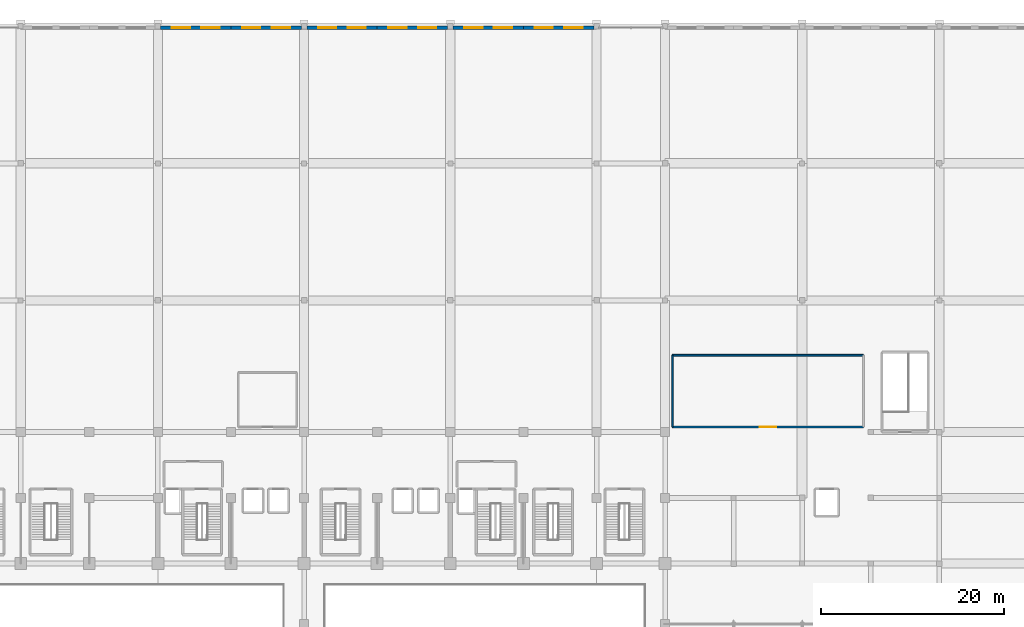
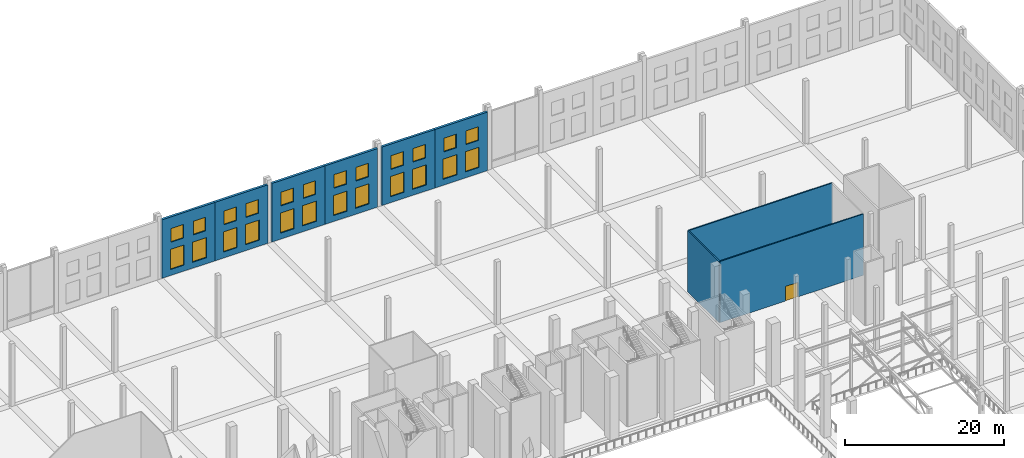
# One storey, part 69 of 80: 24 windows, 9 walls, 1 door, 25 openings.
"""IFC4 building model written with IfcOpenShell, lengths in metres."""

from ifc_helpers import new_model, si_unit, direction, frame, frame_2d, origin, place, context, subcontext, project, spatial, rectangle, extrude, material, layer, layer_set, type_object, element, fill, save


model = new_model("IFC4")

# Units and contexts
model_context = context("Model", 3, precision=1e-05, world=origin(), true_north=direction((0.0, 1.0)))
body_context = subcontext(model_context, "Body", "Model", "MODEL_VIEW")
ifc_project = project(units=[si_unit("LENGTHUNIT", "METRE"), si_unit("AREAUNIT", "SQUARE_METRE"), si_unit("VOLUMEUNIT", "CUBIC_METRE"), si_unit("PLANEANGLEUNIT", "RADIAN"), si_unit("MASSUNIT", "GRAM", prefix="KILO")], contexts=[model_context])

# Site, building, storey
site_placement = place(None, origin())
site = spatial("IfcSite", under=ifc_project, at=site_placement, CompositionType="ELEMENT")
building_placement = place(site_placement, origin())
building = spatial("IfcBuilding", under=site, at=building_placement, Name="Akrevak Sports Hall", CompositionType="ELEMENT")
storey_placement = place(building_placement, frame((0.0, 0.0, 14.0)))
storey = spatial("IfcBuildingStorey", under=building, at=storey_placement, Name="L03", CompositionType="ELEMENT", Elevation=14.0)

# Wall, openings, windows
ifc_material_1 = material(Name="Limestone Ashlar", Category="stone")
ifc_layer_1 = layer(ifc_material_1, 0.070068359375, Name="Limestone Ashlar")
ifc_material_2 = material(Name="Mineral Wool Thermal Insulation", Category="insulation")
ifc_layer_2 = layer(ifc_material_2, 0.10009765625, Name="Mineral Wool Thermal Insulation")
ifc_material_3 = material(Name="Concrete C40/50", Category="concrete")
ifc_layer_3 = layer(ifc_material_3, 0.169921875, Name="Concrete C40/50")
ifc_layer_set_1 = layer_set([ifc_layer_1, ifc_layer_2, ifc_layer_3], Name="Limestone Ashlar / Mineral Wool Thermal Insulation / Concrete C40/50")
wall_type_1 = type_object("IfcWallType", Name="ARC-WL-EXT-340", PredefinedType="SOLIDWALL", material=ifc_layer_set_1)
wall_1_placement = place(storey_placement, frame((68.0, 113.830078125, 0.0), z_axis=(0.0, 0.0, 1.0), x_axis=(-1.0, 0.0, 0.0)))
wall_1 = element("IfcWall", 1, at=wall_1_placement, inside=storey, type_object=wall_type_1, Name="Exterior Limestone Wall L03-N09", PredefinedType="SOLIDWALL", context=body_context, shape_type="SweptSolid", body=[
    extrude(rectangle(XDim=7.699951171875, YDim=0.340087890625, at=frame_2d((3.85009765625, 0.0))), origin(), (0.0, 0.0, 1.0), 9.0),
])
opening_1_placement = place(wall_1_placement, frame((4.467041015625, 0.0, 0.919921875)))
opening_1 = element("IfcOpeningElement", 2, at=opening_1_placement, cuts=wall_1, Name="Opening WN-41", PredefinedType="OPENING", context=body_context, shape_type="SweptSolid", body=[
    extrude(rectangle(XDim=2.0, YDim=3.10009765625, at=frame_2d((1.0, 1.550048828125))), frame((0.0, 0.18212890625, 0.0), z_axis=(0.0, -1.0, 0.0), x_axis=(1.0, 0.0, 0.0)), (0.0, 0.0, 1.0), 0.364013671875),
])
opening_2_placement = place(wall_1_placement, frame((4.56689453125, 0.0, 5.10009765625)))
opening_2 = element("IfcOpeningElement", 3, at=opening_2_placement, cuts=wall_1, Name="Opening WN-37", PredefinedType="OPENING", context=body_context, shape_type="SweptSolid", body=[
    extrude(rectangle(XDim=1.800048828125, YDim=2.10009765625, at=frame_2d((0.89990234375, 1.050048828125))), frame((0.0, 0.18212890625, 0.0), z_axis=(0.0, -1.0, 0.0), x_axis=(1.0, 0.0, 0.0)), (0.0, 0.0, 1.0), 0.364013671875),
])
opening_3_placement = place(wall_1_placement, frame((1.23291015625, 0.0, 0.919921875)))
opening_3 = element("IfcOpeningElement", 4, at=opening_3_placement, cuts=wall_1, Name="Opening WN-41", PredefinedType="OPENING", context=body_context, shape_type="SweptSolid", body=[
    extrude(rectangle(XDim=2.0, YDim=3.10009765625, at=frame_2d((1.0, 1.550048828125))), frame((0.0, 0.18212890625, 0.0), z_axis=(0.0, -1.0, 0.0), x_axis=(1.0, 0.0, 0.0)), (0.0, 0.0, 1.0), 0.364013671875),
])
opening_4_placement = place(wall_1_placement, frame((1.3330078125, 0.0, 5.10009765625)))
opening_4 = element("IfcOpeningElement", 5, at=opening_4_placement, cuts=wall_1, Name="Opening WN-37", PredefinedType="OPENING", context=body_context, shape_type="SweptSolid", body=[
    extrude(rectangle(XDim=1.800048828125, YDim=2.10009765625, at=frame_2d((0.89990234375, 1.050048828125))), frame((0.0, 0.18212890625, 0.0), z_axis=(0.0, -1.0, 0.0), x_axis=(1.0, 0.0, 0.0)), (0.0, 0.0, 1.0), 0.364013671875),
])
ifc_material_4 = material(Name="Thermally Broken Bronze Frame & Double Low-E Glass", Category="glass")
window_type_1 = type_object("IfcWindowType", Name="ARC-WIN-SZ-1800x2100", PartitioningType="SINGLE_PANEL", PredefinedType="WINDOW", material=ifc_material_4)
window_1_placement = place(opening_2_placement, origin())
window_1 = element("IfcWindow", 6, at=window_1_placement, inside=storey, type_object=window_type_1, Name="Beaux-Arts Attic Clerestory Window WIN-L03-N09-1U", OverallHeight=2.10009765625, OverallWidth=1.800048828125, PartitioningType="SINGLE_PANEL", PredefinedType="WINDOW", context=body_context, shape_type="SweptSolid", body=[
    extrude(rectangle(XDim=1.800048828125, YDim=2.10009765625, at=frame_2d((0.89990234375, 1.050048828125))), frame((0.0, 0.030029296875, 0.0), z_axis=(0.0, -1.0, 0.0), x_axis=(1.0, 0.0, 0.0)), (0.0, 0.0, 1.0), 0.06005859375),
])
fill(opening_2, window_1)
window_2_placement = place(opening_4_placement, origin())
window_2 = element("IfcWindow", 7, at=window_2_placement, inside=storey, type_object=window_type_1, Name="Beaux-Arts Attic Clerestory Window WIN-L03-N09-2U", OverallHeight=2.10009765625, OverallWidth=1.800048828125, PartitioningType="SINGLE_PANEL", PredefinedType="WINDOW", context=body_context, shape_type="SweptSolid", body=[
    extrude(rectangle(XDim=1.800048828125, YDim=2.10009765625, at=frame_2d((0.89990234375, 1.050048828125))), frame((0.0, 0.030029296875, 0.0), z_axis=(0.0, -1.0, 0.0), x_axis=(1.0, 0.0, 0.0)), (0.0, 0.0, 1.0), 0.06005859375),
])
fill(opening_4, window_2)
window_type_2 = type_object("IfcWindowType", Name="ARC-WIN-SZ-2000x3100", PartitioningType="SINGLE_PANEL", PredefinedType="WINDOW", material=ifc_material_4)
window_3_placement = place(opening_1_placement, origin())
window_3 = element("IfcWindow", 8, at=window_3_placement, inside=storey, type_object=window_type_2, Name="Beaux-Arts Facade Window WIN-L03-N09-1", OverallHeight=3.10009765625, OverallWidth=2.0, PartitioningType="SINGLE_PANEL", PredefinedType="WINDOW", context=body_context, shape_type="SweptSolid", body=[
    extrude(rectangle(XDim=2.0, YDim=3.10009765625, at=frame_2d((1.0, 1.550048828125))), frame((0.0, 0.030029296875, 0.0), z_axis=(0.0, -1.0, 0.0), x_axis=(1.0, 0.0, 0.0)), (0.0, 0.0, 1.0), 0.06005859375),
])
fill(opening_1, window_3)
window_4_placement = place(opening_3_placement, origin())
window_4 = element("IfcWindow", 9, at=window_4_placement, inside=storey, type_object=window_type_2, Name="Beaux-Arts Facade Window WIN-L03-N09-2", OverallHeight=3.10009765625, OverallWidth=2.0, PartitioningType="SINGLE_PANEL", PredefinedType="WINDOW", context=body_context, shape_type="SweptSolid", body=[
    extrude(rectangle(XDim=2.0, YDim=3.10009765625, at=frame_2d((1.0, 1.550048828125))), frame((0.0, 0.030029296875, 0.0), z_axis=(0.0, -1.0, 0.0), x_axis=(1.0, 0.0, 0.0)), (0.0, 0.0, 1.0), 0.06005859375),
])
fill(opening_3, window_4)

wall_2_placement = place(storey_placement, frame((75.699951171875, 113.830078125, 0.0), z_axis=(0.0, 0.0, 1.0), x_axis=(-1.0, 0.0, 0.0)))
wall_2 = element("IfcWall", 10, at=wall_2_placement, inside=storey, type_object=wall_type_1, Name="Exterior Limestone Wall L03-N10", PredefinedType="SOLIDWALL", context=body_context, shape_type="SweptSolid", body=[
    extrude(rectangle(XDim=7.699951171875, YDim=0.340087890625, at=frame_2d((3.85009765625, 0.0))), origin(), (0.0, 0.0, 1.0), 9.0),
])
opening_5_placement = place(wall_2_placement, frame((4.467041015625, 0.0, 0.919921875)))
opening_5 = element("IfcOpeningElement", 11, at=opening_5_placement, cuts=wall_2, Name="Opening WN-41", PredefinedType="OPENING", context=body_context, shape_type="SweptSolid", body=[
    extrude(rectangle(XDim=2.0, YDim=3.10009765625, at=frame_2d((1.0, 1.550048828125))), frame((0.0, 0.18212890625, 0.0), z_axis=(0.0, -1.0, 0.0), x_axis=(1.0, 0.0, 0.0)), (0.0, 0.0, 1.0), 0.364013671875),
])
opening_6_placement = place(wall_2_placement, frame((4.56689453125, 0.0, 5.10009765625)))
opening_6 = element("IfcOpeningElement", 12, at=opening_6_placement, cuts=wall_2, Name="Opening WN-37", PredefinedType="OPENING", context=body_context, shape_type="SweptSolid", body=[
    extrude(rectangle(XDim=1.800048828125, YDim=2.10009765625, at=frame_2d((0.89990234375, 1.050048828125))), frame((0.0, 0.18212890625, 0.0), z_axis=(0.0, -1.0, 0.0), x_axis=(1.0, 0.0, 0.0)), (0.0, 0.0, 1.0), 0.364013671875),
])
opening_7_placement = place(wall_2_placement, frame((1.23291015625, 0.0, 0.919921875)))
opening_7 = element("IfcOpeningElement", 13, at=opening_7_placement, cuts=wall_2, Name="Opening WN-41", PredefinedType="OPENING", context=body_context, shape_type="SweptSolid", body=[
    extrude(rectangle(XDim=2.0, YDim=3.10009765625, at=frame_2d((1.0, 1.550048828125))), frame((0.0, 0.18212890625, 0.0), z_axis=(0.0, -1.0, 0.0), x_axis=(1.0, 0.0, 0.0)), (0.0, 0.0, 1.0), 0.364013671875),
])
opening_8_placement = place(wall_2_placement, frame((1.3330078125, 0.0, 5.10009765625)))
opening_8 = element("IfcOpeningElement", 14, at=opening_8_placement, cuts=wall_2, Name="Opening WN-37", PredefinedType="OPENING", context=body_context, shape_type="SweptSolid", body=[
    extrude(rectangle(XDim=1.800048828125, YDim=2.10009765625, at=frame_2d((0.89990234375, 1.050048828125))), frame((0.0, 0.18212890625, 0.0), z_axis=(0.0, -1.0, 0.0), x_axis=(1.0, 0.0, 0.0)), (0.0, 0.0, 1.0), 0.364013671875),
])
window_5_placement = place(opening_6_placement, origin())
window_5 = element("IfcWindow", 15, at=window_5_placement, inside=storey, type_object=window_type_1, Name="Beaux-Arts Attic Clerestory Window WIN-L03-N10-1U", OverallHeight=2.10009765625, OverallWidth=1.800048828125, PartitioningType="SINGLE_PANEL", PredefinedType="WINDOW", context=body_context, shape_type="SweptSolid", body=[
    extrude(rectangle(XDim=1.800048828125, YDim=2.10009765625, at=frame_2d((0.89990234375, 1.050048828125))), frame((0.0, 0.030029296875, 0.0), z_axis=(0.0, -1.0, 0.0), x_axis=(1.0, 0.0, 0.0)), (0.0, 0.0, 1.0), 0.06005859375),
])
fill(opening_6, window_5)
window_6_placement = place(opening_8_placement, origin())
window_6 = element("IfcWindow", 16, at=window_6_placement, inside=storey, type_object=window_type_1, Name="Beaux-Arts Attic Clerestory Window WIN-L03-N10-2U", OverallHeight=2.10009765625, OverallWidth=1.800048828125, PartitioningType="SINGLE_PANEL", PredefinedType="WINDOW", context=body_context, shape_type="SweptSolid", body=[
    extrude(rectangle(XDim=1.800048828125, YDim=2.10009765625, at=frame_2d((0.89990234375, 1.050048828125))), frame((0.0, 0.030029296875, 0.0), z_axis=(0.0, -1.0, 0.0), x_axis=(1.0, 0.0, 0.0)), (0.0, 0.0, 1.0), 0.06005859375),
])
fill(opening_8, window_6)
window_7_placement = place(opening_5_placement, origin())
window_7 = element("IfcWindow", 17, at=window_7_placement, inside=storey, type_object=window_type_2, Name="Beaux-Arts Facade Window WIN-L03-N10-1", OverallHeight=3.10009765625, OverallWidth=2.0, PartitioningType="SINGLE_PANEL", PredefinedType="WINDOW", context=body_context, shape_type="SweptSolid", body=[
    extrude(rectangle(XDim=2.0, YDim=3.10009765625, at=frame_2d((1.0, 1.550048828125))), frame((0.0, 0.030029296875, 0.0), z_axis=(0.0, -1.0, 0.0), x_axis=(1.0, 0.0, 0.0)), (0.0, 0.0, 1.0), 0.06005859375),
])
fill(opening_5, window_7)
window_8_placement = place(opening_7_placement, origin())
window_8 = element("IfcWindow", 18, at=window_8_placement, inside=storey, type_object=window_type_2, Name="Beaux-Arts Facade Window WIN-L03-N10-2", OverallHeight=3.10009765625, OverallWidth=2.0, PartitioningType="SINGLE_PANEL", PredefinedType="WINDOW", context=body_context, shape_type="SweptSolid", body=[
    extrude(rectangle(XDim=2.0, YDim=3.10009765625, at=frame_2d((1.0, 1.550048828125))), frame((0.0, 0.030029296875, 0.0), z_axis=(0.0, -1.0, 0.0), x_axis=(1.0, 0.0, 0.0)), (0.0, 0.0, 1.0), 0.06005859375),
])
fill(opening_7, window_8)

wall_3_placement = place(storey_placement, frame((84.0, 113.830078125, 0.0), z_axis=(0.0, 0.0, 1.0), x_axis=(-1.0, 0.0, 0.0)))
wall_3 = element("IfcWall", 19, at=wall_3_placement, inside=storey, type_object=wall_type_1, Name="Exterior Limestone Wall L03-N11", PredefinedType="SOLIDWALL", context=body_context, shape_type="SweptSolid", body=[
    extrude(rectangle(XDim=7.699951171875, YDim=0.340087890625, at=frame_2d((3.85009765625, 0.0))), origin(), (0.0, 0.0, 1.0), 9.0),
])
opening_9_placement = place(wall_3_placement, frame((4.467041015625, 0.0, 0.919921875)))
opening_9 = element("IfcOpeningElement", 20, at=opening_9_placement, cuts=wall_3, Name="Opening WN-41", PredefinedType="OPENING", context=body_context, shape_type="SweptSolid", body=[
    extrude(rectangle(XDim=2.0, YDim=3.10009765625, at=frame_2d((1.0, 1.550048828125))), frame((0.0, 0.18212890625, 0.0), z_axis=(0.0, -1.0, 0.0), x_axis=(1.0, 0.0, 0.0)), (0.0, 0.0, 1.0), 0.364013671875),
])
opening_10_placement = place(wall_3_placement, frame((4.56689453125, 0.0, 5.10009765625)))
opening_10 = element("IfcOpeningElement", 21, at=opening_10_placement, cuts=wall_3, Name="Opening WN-37", PredefinedType="OPENING", context=body_context, shape_type="SweptSolid", body=[
    extrude(rectangle(XDim=1.800048828125, YDim=2.10009765625, at=frame_2d((0.89990234375, 1.050048828125))), frame((0.0, 0.18212890625, 0.0), z_axis=(0.0, -1.0, 0.0), x_axis=(1.0, 0.0, 0.0)), (0.0, 0.0, 1.0), 0.364013671875),
])
opening_11_placement = place(wall_3_placement, frame((1.23291015625, 0.0, 0.919921875)))
opening_11 = element("IfcOpeningElement", 22, at=opening_11_placement, cuts=wall_3, Name="Opening WN-41", PredefinedType="OPENING", context=body_context, shape_type="SweptSolid", body=[
    extrude(rectangle(XDim=2.0, YDim=3.10009765625, at=frame_2d((1.0, 1.550048828125))), frame((0.0, 0.18212890625, 0.0), z_axis=(0.0, -1.0, 0.0), x_axis=(1.0, 0.0, 0.0)), (0.0, 0.0, 1.0), 0.364013671875),
])
opening_12_placement = place(wall_3_placement, frame((1.3330078125, 0.0, 5.10009765625)))
opening_12 = element("IfcOpeningElement", 23, at=opening_12_placement, cuts=wall_3, Name="Opening WN-37", PredefinedType="OPENING", context=body_context, shape_type="SweptSolid", body=[
    extrude(rectangle(XDim=1.800048828125, YDim=2.10009765625, at=frame_2d((0.89990234375, 1.050048828125))), frame((0.0, 0.18212890625, 0.0), z_axis=(0.0, -1.0, 0.0), x_axis=(1.0, 0.0, 0.0)), (0.0, 0.0, 1.0), 0.364013671875),
])
window_9_placement = place(opening_10_placement, origin())
window_9 = element("IfcWindow", 24, at=window_9_placement, inside=storey, type_object=window_type_1, Name="Beaux-Arts Attic Clerestory Window WIN-L03-N11-1U", OverallHeight=2.10009765625, OverallWidth=1.800048828125, PartitioningType="SINGLE_PANEL", PredefinedType="WINDOW", context=body_context, shape_type="SweptSolid", body=[
    extrude(rectangle(XDim=1.800048828125, YDim=2.10009765625, at=frame_2d((0.89990234375, 1.050048828125))), frame((0.0, 0.030029296875, 0.0), z_axis=(0.0, -1.0, 0.0), x_axis=(1.0, 0.0, 0.0)), (0.0, 0.0, 1.0), 0.06005859375),
])
fill(opening_10, window_9)
window_10_placement = place(opening_12_placement, origin())
window_10 = element("IfcWindow", 25, at=window_10_placement, inside=storey, type_object=window_type_1, Name="Beaux-Arts Attic Clerestory Window WIN-L03-N11-2U", OverallHeight=2.10009765625, OverallWidth=1.800048828125, PartitioningType="SINGLE_PANEL", PredefinedType="WINDOW", context=body_context, shape_type="SweptSolid", body=[
    extrude(rectangle(XDim=1.800048828125, YDim=2.10009765625, at=frame_2d((0.89990234375, 1.050048828125))), frame((0.0, 0.030029296875, 0.0), z_axis=(0.0, -1.0, 0.0), x_axis=(1.0, 0.0, 0.0)), (0.0, 0.0, 1.0), 0.06005859375),
])
fill(opening_12, window_10)
window_11_placement = place(opening_9_placement, origin())
window_11 = element("IfcWindow", 26, at=window_11_placement, inside=storey, type_object=window_type_2, Name="Beaux-Arts Facade Window WIN-L03-N11-1", OverallHeight=3.10009765625, OverallWidth=2.0, PartitioningType="SINGLE_PANEL", PredefinedType="WINDOW", context=body_context, shape_type="SweptSolid", body=[
    extrude(rectangle(XDim=2.0, YDim=3.10009765625, at=frame_2d((1.0, 1.550048828125))), frame((0.0, 0.030029296875, 0.0), z_axis=(0.0, -1.0, 0.0), x_axis=(1.0, 0.0, 0.0)), (0.0, 0.0, 1.0), 0.06005859375),
])
fill(opening_9, window_11)
window_12_placement = place(opening_11_placement, origin())
window_12 = element("IfcWindow", 27, at=window_12_placement, inside=storey, type_object=window_type_2, Name="Beaux-Arts Facade Window WIN-L03-N11-2", OverallHeight=3.10009765625, OverallWidth=2.0, PartitioningType="SINGLE_PANEL", PredefinedType="WINDOW", context=body_context, shape_type="SweptSolid", body=[
    extrude(rectangle(XDim=2.0, YDim=3.10009765625, at=frame_2d((1.0, 1.550048828125))), frame((0.0, 0.030029296875, 0.0), z_axis=(0.0, -1.0, 0.0), x_axis=(1.0, 0.0, 0.0)), (0.0, 0.0, 1.0), 0.06005859375),
])
fill(opening_11, window_12)

wall_4_placement = place(storey_placement, frame((91.699951171875, 113.830078125, 0.0), z_axis=(0.0, 0.0, 1.0), x_axis=(-1.0, 0.0, 0.0)))
wall_4 = element("IfcWall", 28, at=wall_4_placement, inside=storey, type_object=wall_type_1, Name="Exterior Limestone Wall L03-N12", PredefinedType="SOLIDWALL", context=body_context, shape_type="SweptSolid", body=[
    extrude(rectangle(XDim=7.699951171875, YDim=0.340087890625, at=frame_2d((3.85009765625, 0.0))), origin(), (0.0, 0.0, 1.0), 9.0),
])
opening_13_placement = place(wall_4_placement, frame((4.467041015625, 0.0, 0.919921875)))
opening_13 = element("IfcOpeningElement", 29, at=opening_13_placement, cuts=wall_4, Name="Opening WN-41", PredefinedType="OPENING", context=body_context, shape_type="SweptSolid", body=[
    extrude(rectangle(XDim=2.0, YDim=3.10009765625, at=frame_2d((1.0, 1.550048828125))), frame((0.0, 0.18212890625, 0.0), z_axis=(0.0, -1.0, 0.0), x_axis=(1.0, 0.0, 0.0)), (0.0, 0.0, 1.0), 0.364013671875),
])
opening_14_placement = place(wall_4_placement, frame((4.56689453125, 0.0, 5.10009765625)))
opening_14 = element("IfcOpeningElement", 30, at=opening_14_placement, cuts=wall_4, Name="Opening WN-37", PredefinedType="OPENING", context=body_context, shape_type="SweptSolid", body=[
    extrude(rectangle(XDim=1.800048828125, YDim=2.10009765625, at=frame_2d((0.89990234375, 1.050048828125))), frame((0.0, 0.18212890625, 0.0), z_axis=(0.0, -1.0, 0.0), x_axis=(1.0, 0.0, 0.0)), (0.0, 0.0, 1.0), 0.364013671875),
])
opening_15_placement = place(wall_4_placement, frame((1.23291015625, 0.0, 0.919921875)))
opening_15 = element("IfcOpeningElement", 31, at=opening_15_placement, cuts=wall_4, Name="Opening WN-41", PredefinedType="OPENING", context=body_context, shape_type="SweptSolid", body=[
    extrude(rectangle(XDim=2.0, YDim=3.10009765625, at=frame_2d((1.0, 1.550048828125))), frame((0.0, 0.18212890625, 0.0), z_axis=(0.0, -1.0, 0.0), x_axis=(1.0, 0.0, 0.0)), (0.0, 0.0, 1.0), 0.364013671875),
])
opening_16_placement = place(wall_4_placement, frame((1.3330078125, 0.0, 5.10009765625)))
opening_16 = element("IfcOpeningElement", 32, at=opening_16_placement, cuts=wall_4, Name="Opening WN-37", PredefinedType="OPENING", context=body_context, shape_type="SweptSolid", body=[
    extrude(rectangle(XDim=1.800048828125, YDim=2.10009765625, at=frame_2d((0.89990234375, 1.050048828125))), frame((0.0, 0.18212890625, 0.0), z_axis=(0.0, -1.0, 0.0), x_axis=(1.0, 0.0, 0.0)), (0.0, 0.0, 1.0), 0.364013671875),
])
window_13_placement = place(opening_14_placement, origin())
window_13 = element("IfcWindow", 33, at=window_13_placement, inside=storey, type_object=window_type_1, Name="Beaux-Arts Attic Clerestory Window WIN-L03-N12-1U", OverallHeight=2.10009765625, OverallWidth=1.800048828125, PartitioningType="SINGLE_PANEL", PredefinedType="WINDOW", context=body_context, shape_type="SweptSolid", body=[
    extrude(rectangle(XDim=1.800048828125, YDim=2.10009765625, at=frame_2d((0.89990234375, 1.050048828125))), frame((0.0, 0.030029296875, 0.0), z_axis=(0.0, -1.0, 0.0), x_axis=(1.0, 0.0, 0.0)), (0.0, 0.0, 1.0), 0.06005859375),
])
fill(opening_14, window_13)
window_14_placement = place(opening_16_placement, origin())
window_14 = element("IfcWindow", 34, at=window_14_placement, inside=storey, type_object=window_type_1, Name="Beaux-Arts Attic Clerestory Window WIN-L03-N12-2U", OverallHeight=2.10009765625, OverallWidth=1.800048828125, PartitioningType="SINGLE_PANEL", PredefinedType="WINDOW", context=body_context, shape_type="SweptSolid", body=[
    extrude(rectangle(XDim=1.800048828125, YDim=2.10009765625, at=frame_2d((0.89990234375, 1.050048828125))), frame((0.0, 0.030029296875, 0.0), z_axis=(0.0, -1.0, 0.0), x_axis=(1.0, 0.0, 0.0)), (0.0, 0.0, 1.0), 0.06005859375),
])
fill(opening_16, window_14)
window_15_placement = place(opening_13_placement, origin())
window_15 = element("IfcWindow", 35, at=window_15_placement, inside=storey, type_object=window_type_2, Name="Beaux-Arts Facade Window WIN-L03-N12-1", OverallHeight=3.10009765625, OverallWidth=2.0, PartitioningType="SINGLE_PANEL", PredefinedType="WINDOW", context=body_context, shape_type="SweptSolid", body=[
    extrude(rectangle(XDim=2.0, YDim=3.10009765625, at=frame_2d((1.0, 1.550048828125))), frame((0.0, 0.030029296875, 0.0), z_axis=(0.0, -1.0, 0.0), x_axis=(1.0, 0.0, 0.0)), (0.0, 0.0, 1.0), 0.06005859375),
])
fill(opening_13, window_15)
window_16_placement = place(opening_15_placement, origin())
window_16 = element("IfcWindow", 36, at=window_16_placement, inside=storey, type_object=window_type_2, Name="Beaux-Arts Facade Window WIN-L03-N12-2", OverallHeight=3.10009765625, OverallWidth=2.0, PartitioningType="SINGLE_PANEL", PredefinedType="WINDOW", context=body_context, shape_type="SweptSolid", body=[
    extrude(rectangle(XDim=2.0, YDim=3.10009765625, at=frame_2d((1.0, 1.550048828125))), frame((0.0, 0.030029296875, 0.0), z_axis=(0.0, -1.0, 0.0), x_axis=(1.0, 0.0, 0.0)), (0.0, 0.0, 1.0), 0.06005859375),
])
fill(opening_15, window_16)

wall_5_placement = place(storey_placement, frame((100.0, 113.830078125, 0.0), z_axis=(0.0, 0.0, 1.0), x_axis=(-1.0, 0.0, 0.0)))
wall_5 = element("IfcWall", 37, at=wall_5_placement, inside=storey, type_object=wall_type_1, Name="Exterior Limestone Wall L03-N13", PredefinedType="SOLIDWALL", context=body_context, shape_type="SweptSolid", body=[
    extrude(rectangle(XDim=7.699951171875, YDim=0.340087890625, at=frame_2d((3.85009765625, 0.0))), origin(), (0.0, 0.0, 1.0), 9.0),
])
opening_17_placement = place(wall_5_placement, frame((4.467041015625, 0.0, 0.919921875)))
opening_17 = element("IfcOpeningElement", 38, at=opening_17_placement, cuts=wall_5, Name="Opening WN-41", PredefinedType="OPENING", context=body_context, shape_type="SweptSolid", body=[
    extrude(rectangle(XDim=2.0, YDim=3.10009765625, at=frame_2d((1.0, 1.550048828125))), frame((0.0, 0.18212890625, 0.0), z_axis=(0.0, -1.0, 0.0), x_axis=(1.0, 0.0, 0.0)), (0.0, 0.0, 1.0), 0.364013671875),
])
opening_18_placement = place(wall_5_placement, frame((4.56689453125, 0.0, 5.10009765625)))
opening_18 = element("IfcOpeningElement", 39, at=opening_18_placement, cuts=wall_5, Name="Opening WN-37", PredefinedType="OPENING", context=body_context, shape_type="SweptSolid", body=[
    extrude(rectangle(XDim=1.800048828125, YDim=2.10009765625, at=frame_2d((0.89990234375, 1.050048828125))), frame((0.0, 0.18212890625, 0.0), z_axis=(0.0, -1.0, 0.0), x_axis=(1.0, 0.0, 0.0)), (0.0, 0.0, 1.0), 0.364013671875),
])
opening_19_placement = place(wall_5_placement, frame((1.23291015625, 0.0, 0.919921875)))
opening_19 = element("IfcOpeningElement", 40, at=opening_19_placement, cuts=wall_5, Name="Opening WN-41", PredefinedType="OPENING", context=body_context, shape_type="SweptSolid", body=[
    extrude(rectangle(XDim=2.0, YDim=3.10009765625, at=frame_2d((1.0, 1.550048828125))), frame((0.0, 0.18212890625, 0.0), z_axis=(0.0, -1.0, 0.0), x_axis=(1.0, 0.0, 0.0)), (0.0, 0.0, 1.0), 0.364013671875),
])
opening_20_placement = place(wall_5_placement, frame((1.3330078125, 0.0, 5.10009765625)))
opening_20 = element("IfcOpeningElement", 41, at=opening_20_placement, cuts=wall_5, Name="Opening WN-37", PredefinedType="OPENING", context=body_context, shape_type="SweptSolid", body=[
    extrude(rectangle(XDim=1.800048828125, YDim=2.10009765625, at=frame_2d((0.89990234375, 1.050048828125))), frame((0.0, 0.18212890625, 0.0), z_axis=(0.0, -1.0, 0.0), x_axis=(1.0, 0.0, 0.0)), (0.0, 0.0, 1.0), 0.364013671875),
])
window_17_placement = place(opening_18_placement, origin())
window_17 = element("IfcWindow", 42, at=window_17_placement, inside=storey, type_object=window_type_1, Name="Beaux-Arts Attic Clerestory Window WIN-L03-N13-1U", OverallHeight=2.10009765625, OverallWidth=1.800048828125, PartitioningType="SINGLE_PANEL", PredefinedType="WINDOW", context=body_context, shape_type="SweptSolid", body=[
    extrude(rectangle(XDim=1.800048828125, YDim=2.10009765625, at=frame_2d((0.89990234375, 1.050048828125))), frame((0.0, 0.030029296875, 0.0), z_axis=(0.0, -1.0, 0.0), x_axis=(1.0, 0.0, 0.0)), (0.0, 0.0, 1.0), 0.06005859375),
])
fill(opening_18, window_17)
window_18_placement = place(opening_20_placement, origin())
window_18 = element("IfcWindow", 43, at=window_18_placement, inside=storey, type_object=window_type_1, Name="Beaux-Arts Attic Clerestory Window WIN-L03-N13-2U", OverallHeight=2.10009765625, OverallWidth=1.800048828125, PartitioningType="SINGLE_PANEL", PredefinedType="WINDOW", context=body_context, shape_type="SweptSolid", body=[
    extrude(rectangle(XDim=1.800048828125, YDim=2.10009765625, at=frame_2d((0.89990234375, 1.050048828125))), frame((0.0, 0.030029296875, 0.0), z_axis=(0.0, -1.0, 0.0), x_axis=(1.0, 0.0, 0.0)), (0.0, 0.0, 1.0), 0.06005859375),
])
fill(opening_20, window_18)
window_19_placement = place(opening_17_placement, origin())
window_19 = element("IfcWindow", 44, at=window_19_placement, inside=storey, type_object=window_type_2, Name="Beaux-Arts Facade Window WIN-L03-N13-1", OverallHeight=3.10009765625, OverallWidth=2.0, PartitioningType="SINGLE_PANEL", PredefinedType="WINDOW", context=body_context, shape_type="SweptSolid", body=[
    extrude(rectangle(XDim=2.0, YDim=3.10009765625, at=frame_2d((1.0, 1.550048828125))), frame((0.0, 0.030029296875, 0.0), z_axis=(0.0, -1.0, 0.0), x_axis=(1.0, 0.0, 0.0)), (0.0, 0.0, 1.0), 0.06005859375),
])
fill(opening_17, window_19)
window_20_placement = place(opening_19_placement, origin())
window_20 = element("IfcWindow", 45, at=window_20_placement, inside=storey, type_object=window_type_2, Name="Beaux-Arts Facade Window WIN-L03-N13-2", OverallHeight=3.10009765625, OverallWidth=2.0, PartitioningType="SINGLE_PANEL", PredefinedType="WINDOW", context=body_context, shape_type="SweptSolid", body=[
    extrude(rectangle(XDim=2.0, YDim=3.10009765625, at=frame_2d((1.0, 1.550048828125))), frame((0.0, 0.030029296875, 0.0), z_axis=(0.0, -1.0, 0.0), x_axis=(1.0, 0.0, 0.0)), (0.0, 0.0, 1.0), 0.06005859375),
])
fill(opening_19, window_20)

wall_6_placement = place(storey_placement, frame((107.699951171875, 113.830078125, 0.0), z_axis=(0.0, 0.0, 1.0), x_axis=(-1.0, 0.0, 0.0)))
wall_6 = element("IfcWall", 46, at=wall_6_placement, inside=storey, type_object=wall_type_1, Name="Exterior Limestone Wall L03-N14", PredefinedType="SOLIDWALL", context=body_context, shape_type="SweptSolid", body=[
    extrude(rectangle(XDim=7.699951171875, YDim=0.340087890625, at=frame_2d((3.85009765625, 0.0))), origin(), (0.0, 0.0, 1.0), 9.0),
])
opening_21_placement = place(wall_6_placement, frame((4.467041015625, 0.0, 0.919921875)))
opening_21 = element("IfcOpeningElement", 47, at=opening_21_placement, cuts=wall_6, Name="Opening WN-41", PredefinedType="OPENING", context=body_context, shape_type="SweptSolid", body=[
    extrude(rectangle(XDim=2.0, YDim=3.10009765625, at=frame_2d((1.0, 1.550048828125))), frame((0.0, 0.18212890625, 0.0), z_axis=(0.0, -1.0, 0.0), x_axis=(1.0, 0.0, 0.0)), (0.0, 0.0, 1.0), 0.364013671875),
])
opening_22_placement = place(wall_6_placement, frame((4.56689453125, 0.0, 5.10009765625)))
opening_22 = element("IfcOpeningElement", 48, at=opening_22_placement, cuts=wall_6, Name="Opening WN-37", PredefinedType="OPENING", context=body_context, shape_type="SweptSolid", body=[
    extrude(rectangle(XDim=1.800048828125, YDim=2.10009765625, at=frame_2d((0.89990234375, 1.050048828125))), frame((0.0, 0.18212890625, 0.0), z_axis=(0.0, -1.0, 0.0), x_axis=(1.0, 0.0, 0.0)), (0.0, 0.0, 1.0), 0.364013671875),
])
opening_23_placement = place(wall_6_placement, frame((1.23291015625, 0.0, 0.919921875)))
opening_23 = element("IfcOpeningElement", 49, at=opening_23_placement, cuts=wall_6, Name="Opening WN-41", PredefinedType="OPENING", context=body_context, shape_type="SweptSolid", body=[
    extrude(rectangle(XDim=2.0, YDim=3.10009765625, at=frame_2d((1.0, 1.550048828125))), frame((0.0, 0.18212890625, 0.0), z_axis=(0.0, -1.0, 0.0), x_axis=(1.0, 0.0, 0.0)), (0.0, 0.0, 1.0), 0.364013671875),
])
opening_24_placement = place(wall_6_placement, frame((1.3330078125, 0.0, 5.10009765625)))
opening_24 = element("IfcOpeningElement", 50, at=opening_24_placement, cuts=wall_6, Name="Opening WN-37", PredefinedType="OPENING", context=body_context, shape_type="SweptSolid", body=[
    extrude(rectangle(XDim=1.800048828125, YDim=2.10009765625, at=frame_2d((0.89990234375, 1.050048828125))), frame((0.0, 0.18212890625, 0.0), z_axis=(0.0, -1.0, 0.0), x_axis=(1.0, 0.0, 0.0)), (0.0, 0.0, 1.0), 0.364013671875),
])
window_21_placement = place(opening_22_placement, origin())
window_21 = element("IfcWindow", 51, at=window_21_placement, inside=storey, type_object=window_type_1, Name="Beaux-Arts Attic Clerestory Window WIN-L03-N14-1U", OverallHeight=2.10009765625, OverallWidth=1.800048828125, PartitioningType="SINGLE_PANEL", PredefinedType="WINDOW", context=body_context, shape_type="SweptSolid", body=[
    extrude(rectangle(XDim=1.800048828125, YDim=2.10009765625, at=frame_2d((0.89990234375, 1.050048828125))), frame((0.0, 0.030029296875, 0.0), z_axis=(0.0, -1.0, 0.0), x_axis=(1.0, 0.0, 0.0)), (0.0, 0.0, 1.0), 0.06005859375),
])
fill(opening_22, window_21)
window_22_placement = place(opening_24_placement, origin())
window_22 = element("IfcWindow", 52, at=window_22_placement, inside=storey, type_object=window_type_1, Name="Beaux-Arts Attic Clerestory Window WIN-L03-N14-2U", OverallHeight=2.10009765625, OverallWidth=1.800048828125, PartitioningType="SINGLE_PANEL", PredefinedType="WINDOW", context=body_context, shape_type="SweptSolid", body=[
    extrude(rectangle(XDim=1.800048828125, YDim=2.10009765625, at=frame_2d((0.89990234375, 1.050048828125))), frame((0.0, 0.030029296875, 0.0), z_axis=(0.0, -1.0, 0.0), x_axis=(1.0, 0.0, 0.0)), (0.0, 0.0, 1.0), 0.06005859375),
])
fill(opening_24, window_22)
window_23_placement = place(opening_21_placement, origin())
window_23 = element("IfcWindow", 53, at=window_23_placement, inside=storey, type_object=window_type_2, Name="Beaux-Arts Facade Window WIN-L03-N14-1", OverallHeight=3.10009765625, OverallWidth=2.0, PartitioningType="SINGLE_PANEL", PredefinedType="WINDOW", context=body_context, shape_type="SweptSolid", body=[
    extrude(rectangle(XDim=2.0, YDim=3.10009765625, at=frame_2d((1.0, 1.550048828125))), frame((0.0, 0.030029296875, 0.0), z_axis=(0.0, -1.0, 0.0), x_axis=(1.0, 0.0, 0.0)), (0.0, 0.0, 1.0), 0.06005859375),
])
fill(opening_21, window_23)
window_24_placement = place(opening_23_placement, origin())
window_24 = element("IfcWindow", 54, at=window_24_placement, inside=storey, type_object=window_type_2, Name="Beaux-Arts Facade Window WIN-L03-N14-2", OverallHeight=3.10009765625, OverallWidth=2.0, PartitioningType="SINGLE_PANEL", PredefinedType="WINDOW", context=body_context, shape_type="SweptSolid", body=[
    extrude(rectangle(XDim=2.0, YDim=3.10009765625, at=frame_2d((1.0, 1.550048828125))), frame((0.0, 0.030029296875, 0.0), z_axis=(0.0, -1.0, 0.0), x_axis=(1.0, 0.0, 0.0)), (0.0, 0.0, 1.0), 0.06005859375),
])
fill(opening_23, window_24)

# Wall, opening, door
ifc_material_5 = material(Name="Autoclaved Aerated Masonry Block", Category="masonry")
ifc_layer_4 = layer(ifc_material_5, 0.179931640625, Name="Autoclaved Aerated Masonry Block")
ifc_layer_set_2 = layer_set([ifc_layer_4], Name="Autoclaved Aerated Masonry Block")
wall_type_2 = type_object("IfcWallType", Name="ARC-WL-PRT-180", PredefinedType="PARTITIONING", material=ifc_layer_set_2)
wall_7_placement = place(storey_placement, frame((116.300048828125, 70.14990234375, 0.0), z_axis=(0.0, 0.0, 1.0), x_axis=(1.0, 0.0, 0.0)))
wall_7 = element("IfcWall", 55, at=wall_7_placement, inside=storey, type_object=wall_type_2, Name="Interior Partition Air-Handling Acoustic Plant L03 (S)", PredefinedType="PARTITIONING", context=body_context, shape_type="SweptSolid", body=[
    extrude(rectangle(XDim=20.89990234375, YDim=0.179931640625, at=frame_2d((10.449951171875, 0.0))), origin(), (0.0, 0.0, 1.0), 9.429931640625),
])
opening_25_placement = place(wall_7_placement, frame((9.550048828125, 0.0, 0.0)))
opening_25 = element("IfcOpeningElement", 56, at=opening_25_placement, cuts=wall_7, Name="Opening ID-02", PredefinedType="OPENING", context=body_context, shape_type="SweptSolid", body=[
    extrude(rectangle(XDim=1.800048828125, YDim=2.25, at=frame_2d((0.89990234375, 1.125))), frame((0.0, 0.10205078125, 0.0), z_axis=(0.0, -1.0, 0.0), x_axis=(1.0, 0.0, 0.0)), (0.0, 0.0, 1.0), 0.203857421875),
])
ifc_material_6 = material(Name="Hardwood Oak & Safety Glass", Category="wood")
door_type = type_object("IfcDoorType", Name="ARC-DR-HALL-180x225", OperationType="DOUBLE_DOOR_SINGLE_SWING", PredefinedType="DOOR", material=ifc_material_6)
door_placement = place(opening_25_placement, frame((1.800048828125, 0.0, 0.0), z_axis=(0.0, 0.0, 1.0), x_axis=(-1.0, 0.0, 0.0)))
door = element("IfcDoor", 57, at=door_placement, inside=storey, type_object=door_type, Name="Door to Air-Handling Acoustic Plant L03", OperationType="DOUBLE_DOOR_SINGLE_SWING", OverallHeight=2.25, OverallWidth=1.800048828125, PredefinedType="DOOR", context=body_context, shape_type="SweptSolid", body=[
    extrude(rectangle(XDim=1.800048828125, YDim=2.25, at=frame_2d((0.89990234375, 1.125))), frame((0.0, 0.02490234375, 0.0), z_axis=(0.0, -1.0, 0.0), x_axis=(1.0, 0.0, 0.0)), (0.0, 0.0, 1.0), 0.050048828125),
])
fill(opening_25, door)

# Walls
wall_8_placement = place(storey_placement, frame((116.300048828125, 78.0, 0.0), z_axis=(0.0, 0.0, 1.0), x_axis=(1.0, 0.0, 0.0)))
element("IfcWall", 58, at=wall_8_placement, inside=storey, type_object=wall_type_2, Name="Interior Partition Air-Handling Acoustic Plant L03 (N)", PredefinedType="PARTITIONING", context=body_context, shape_type="SweptSolid", body=[
    extrude(rectangle(XDim=20.89990234375, YDim=0.179931640625, at=frame_2d((10.449951171875, 0.0))), origin(), (0.0, 0.0, 1.0), 9.429931640625),
])
wall_9_placement = place(storey_placement, frame((116.300048828125, 70.14990234375, 0.0), z_axis=(0.0, 0.0, 1.0), x_axis=(0.0, 1.0, 0.0)))
element("IfcWall", 59, at=wall_9_placement, inside=storey, type_object=wall_type_2, Name="Interior Partition Air-Handling Acoustic Plant L03 (W)", PredefinedType="PARTITIONING", context=body_context, shape_type="SweptSolid", body=[
    extrude(rectangle(XDim=7.85009765625, YDim=0.179931640625, at=frame_2d((3.925048828125, 0.0))), origin(), (0.0, 0.0, 1.0), 9.429931640625),
])

save(model, "model.ifc")
